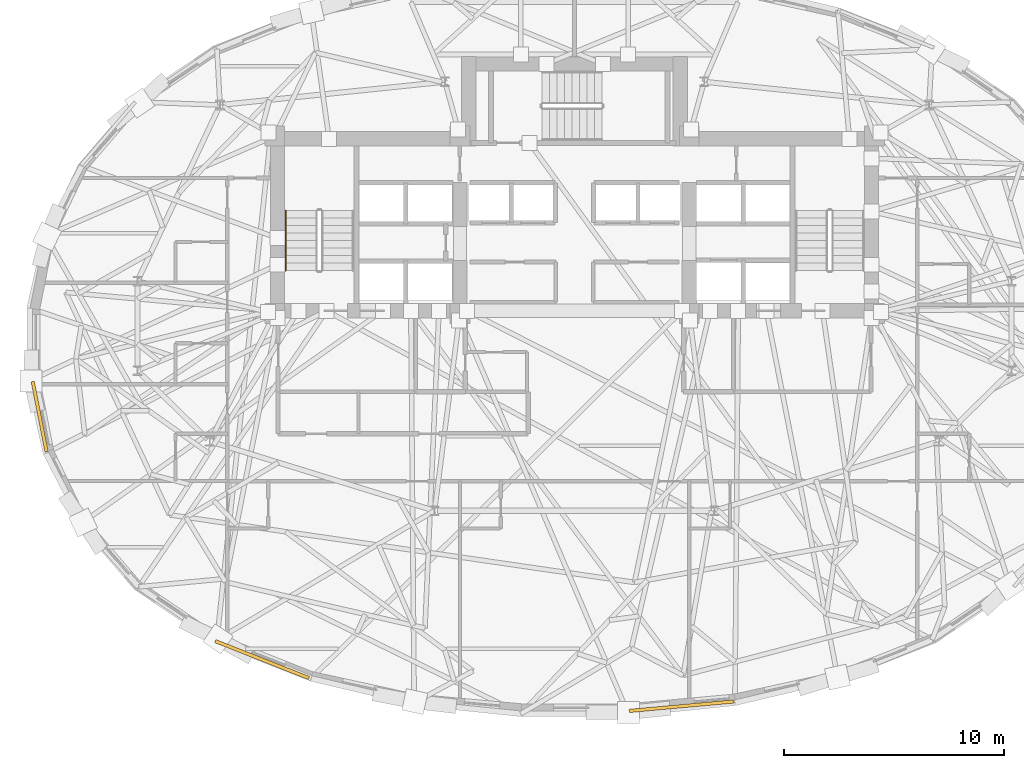
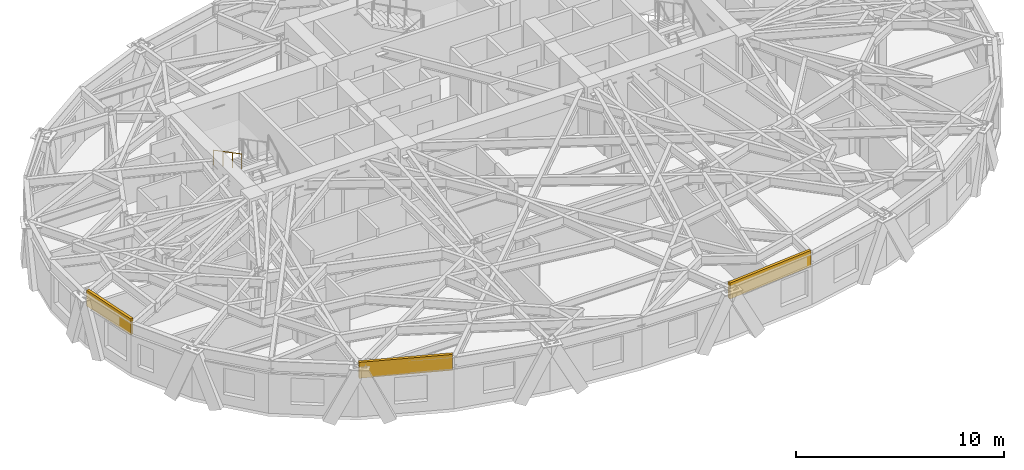
# One storey, part 11 of 14: 3 coverings, 1 railing.
"""IFC4 building model written with IfcOpenShell, lengths in metres."""

from ifc_helpers import new_model, si_unit, direction, frame, origin, origin_2d, place, context, subcontext, project, spatial, rectangle, circle, extrude, material, layer, layer_set, type_object, element, save


model = new_model("IFC4")

# Units and contexts
model_context = context("Model", 3, precision=1e-05, world=origin(), true_north=direction((0.0, 1.0)))
body_context = subcontext(model_context, "Body", "Model", "MODEL_VIEW")
ifc_project = project(units=[si_unit("LENGTHUNIT", "METRE"), si_unit("AREAUNIT", "SQUARE_METRE"), si_unit("VOLUMEUNIT", "CUBIC_METRE"), si_unit("PLANEANGLEUNIT", "RADIAN"), si_unit("MASSUNIT", "GRAM", prefix="KILO")], contexts=[model_context])

# Site, building, storey
site_placement = place(None, origin())
site = spatial("IfcSite", under=ifc_project, at=site_placement, CompositionType="ELEMENT")
building_placement = place(site_placement, origin())
building = spatial("IfcBuilding", under=site, at=building_placement, Name="Keldmark Tower", CompositionType="ELEMENT")
storey_placement = place(building_placement, frame((0.0, 0.0, 153.39990234375)))
storey = spatial("IfcBuildingStorey", under=building, at=storey_placement, Name="L41", CompositionType="ELEMENT", Elevation=153.39990234375)

# Coverings
ifc_material_1 = material(Name="Honed Kasota Buff Dolomitic Limestone", Category="masonry")
ifc_layer = layer(ifc_material_1, 0.074951171875)
ifc_layer_set = layer_set([ifc_layer], Name="Honed Kasota Buff Dolomitic Limestone")
covering_type = type_object("IfcCoveringType", Name="Kasota Buff Limestone Spandrel Cladding Band", PredefinedType="CLADDING", material=ifc_layer_set)
covering_1_placement = place(storey_placement, frame((-24.265380859375, -3.275390625, 2.2392578125), z_axis=(0.0, 0.0, 1.0), x_axis=(0.193652206548, -0.981070243611, 0.0)))
element("IfcCovering", 1, at=covering_1_placement, inside=storey, type_object=covering_type, Name="L41 Kasota Limestone Spandrel Band 17", PredefinedType="CLADDING", context=body_context, shape_type="SweptSolid", body=[
    extrude(rectangle(XDim=3.239501953125, YDim=0.14990234375, at=origin_2d()), origin(), (0.0, 0.0, 1.0), 0.94091796875),
])
covering_2_placement = place(storey_placement, frame((-14.173095703125, -14.298095703125, 2.2392578125), z_axis=(0.0, 0.0, 1.0), x_axis=(0.93012302211, -0.367248095625, 0.0)))
element("IfcCovering", 2, at=covering_2_placement, inside=storey, type_object=covering_type, Name="L41 Kasota Limestone Spandrel Band 21", PredefinedType="CLADDING", context=body_context, shape_type="SweptSolid", body=[
    extrude(rectangle(XDim=4.56640625, YDim=0.14990234375, at=origin_2d()), origin(), (0.0, 0.0, 1.0), 0.94091796875),
])
covering_3_placement = place(storey_placement, frame((4.853759765625, -16.411865234375, 2.2392578125), z_axis=(0.0, 0.0, 1.0), x_axis=(0.995912822535, 0.090319709419, 0.0)))
element("IfcCovering", 3, at=covering_3_placement, inside=storey, type_object=covering_type, Name="L41 Kasota Limestone Spandrel Band 25", PredefinedType="CLADDING", context=body_context, shape_type="SweptSolid", body=[
    extrude(rectangle(XDim=4.76220703125, YDim=0.14990234375, at=origin_2d()), origin(), (0.0, 0.0, 1.0), 0.94091796875),
])

# Railing
ifc_material_2 = material(Name="Stainless Steel AISI 316L", Category="steel")
railing_type = type_object("IfcRailingType", Name="Stainless Steel Stair Handrail 900 mm", PredefinedType="HANDRAIL", material=ifc_material_2)
railing_placement = place(storey_placement, frame((-13.10009765625, 6.070068359375, 1.77783203125)))
element("IfcRailing", 4, at=railing_placement, inside=storey, type_object=railing_type, Name="L41 ST1 stair handrail 2", PredefinedType="HANDRAIL", context=body_context, shape_type="SweptSolid", body=[
    extrude(circle(Radius=0.02392578125, at=origin_2d()), frame((0.0, 0.0, 0.8759765625), z_axis=(0.0, -0.886150474775, 0.463397600399), x_axis=(1.0, 0.0, 0.0)), (0.0, 0.0, 1.0), 3.0693359375),
    extrude(circle(Radius=0.02099609375, at=origin_2d()), origin(), (0.0, 0.0, 1.0), 0.851806640625),
    extrude(circle(Radius=0.02099609375, at=origin_2d()), frame((0.0, -0.90673828125, 0.47412109375)), (0.0, 0.0, 1.0), 0.851806640625),
    extrude(circle(Radius=0.02099609375, at=origin_2d()), frame((0.0, -1.813232421875, 0.9482421875)), (0.0, 0.0, 1.0), 0.851806640625),
    extrude(circle(Radius=0.02099609375, at=origin_2d()), frame((0.0, -2.719970703125, 1.42236328125)), (0.0, 0.0, 1.0), 0.851806640625),
])

save(model, "model.ifc")
